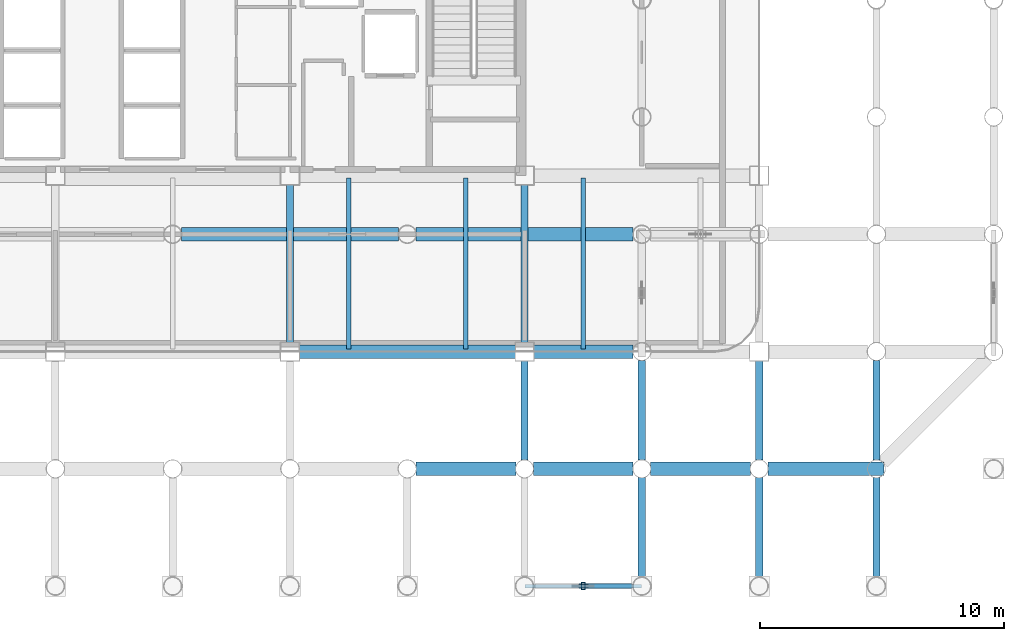
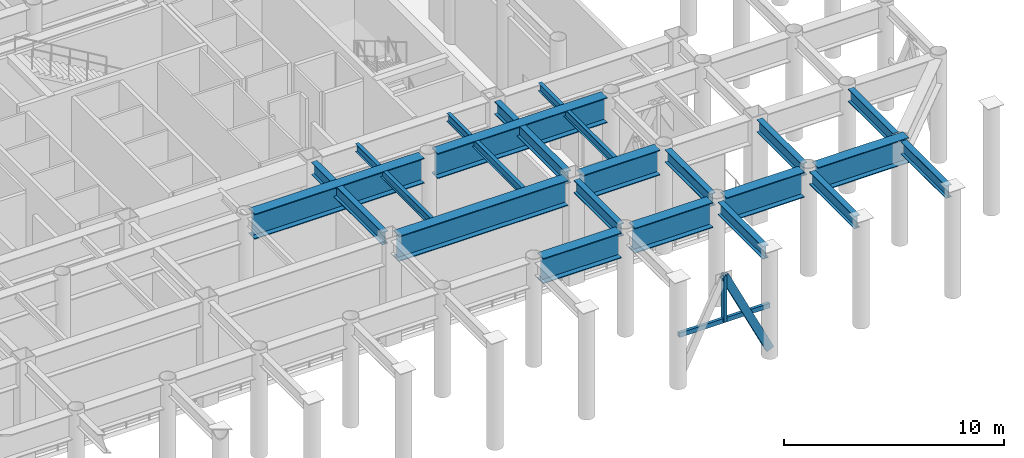
# One storey, part 5 of 19: 20 beams, 3 members.
"""IFC4 building model written with IfcOpenShell, lengths in metres."""

from ifc_helpers import new_model, si_unit, direction, frame, origin, origin_2d, place, context, subcontext, project, spatial, hollow_rectangle, i_section, extrude, material, material_profile, profile_set, type_object, element, save


model = new_model("IFC4")

# Units and contexts
model_context = context("Model", 3, precision=1e-05, world=origin(), true_north=direction((0.0, 1.0)))
body_context = subcontext(model_context, "Body", "Model", "MODEL_VIEW")
ifc_project = project(units=[si_unit("LENGTHUNIT", "METRE"), si_unit("AREAUNIT", "SQUARE_METRE"), si_unit("VOLUMEUNIT", "CUBIC_METRE"), si_unit("PLANEANGLEUNIT", "RADIAN"), si_unit("MASSUNIT", "GRAM", prefix="KILO")], contexts=[model_context])

# Site, building, storey
site_placement = place(None, origin())
site = spatial("IfcSite", under=ifc_project, at=site_placement, CompositionType="ELEMENT")
building_placement = place(site_placement, origin())
building = spatial("IfcBuilding", under=site, at=building_placement, Name="Kallvorn Hotel Tower", CompositionType="ELEMENT")
storey_placement = place(building_placement, frame((0.0, 0.0, 89.199951171875)))
storey = spatial("IfcBuildingStorey", under=building, at=storey_placement, Name="L21", CompositionType="ELEMENT", Elevation=89.199951171875)

# Beams
ifc_material_1 = material(Name="Structural steel S355JR", Category="steel")
ifc_material_profile_1 = material_profile(ifc_material_1, i_section(OverallWidth=0.300048828125, OverallDepth=0.699951171875, WebThickness=0.01708984375, FlangeThickness=0.031982421875, at=origin_2d()), Name="HE 700 B")
ifc_profile_set_1 = profile_set([ifc_material_profile_1], Name="Structural steel S355JR")
beam_type_1 = type_object("IfcBeamType", Name="BM_HE700B", PredefinedType="BEAM", material=ifc_profile_set_1)
beam_1_placement = place(storey_placement, frame((4.800048828125, -14.02490234375, 5.469970703125), z_axis=(0.0, 1.0, 0.0), x_axis=(-1.0, 0.0, 0.0)))
element("IfcBeam", 1, at=beam_1_placement, inside=storey, type_object=beam_type_1, Name="L22 Primary Y-Girder 128", PredefinedType="BEAM", context=body_context, shape_type="SweptSolid", body=[
    extrude(i_section(OverallWidth=0.300048828125, OverallDepth=0.699951171875, WebThickness=0.01708984375, FlangeThickness=0.031982421875, at=origin_2d()), origin(), (0.0, 0.0, 1.0), 6.449951171875),
])
beam_2_placement = place(storey_placement, frame((14.39990234375, -18.843994140625, 5.469970703125), z_axis=(0.0, 1.0, 0.0), x_axis=(-1.0, 0.0, 0.0)))
element("IfcBeam", 2, at=beam_2_placement, inside=storey, type_object=beam_type_1, Name="L22 Primary Y-Girder 135", PredefinedType="BEAM", context=body_context, shape_type="SweptSolid", body=[
    extrude(i_section(OverallWidth=0.300048828125, OverallDepth=0.699951171875, WebThickness=0.01708984375, FlangeThickness=0.031982421875, at=origin_2d()), origin(), (0.0, 0.0, 1.0), 4.069091796875),
])
beam_3_placement = place(storey_placement, frame((14.39990234375, -14.02490234375, 5.469970703125), z_axis=(0.0, 1.0, 0.0), x_axis=(-1.0, 0.0, 0.0)))
element("IfcBeam", 3, at=beam_3_placement, inside=storey, type_object=beam_type_1, Name="L22 Primary Y-Girder 136", PredefinedType="BEAM", context=body_context, shape_type="SweptSolid", body=[
    extrude(i_section(OverallWidth=0.300048828125, OverallDepth=0.699951171875, WebThickness=0.01708984375, FlangeThickness=0.031982421875, at=origin_2d()), origin(), (0.0, 0.0, 1.0), 6.449951171875),
])
beam_4_placement = place(storey_placement, frame((19.199951171875, -23.64404296875, 5.469970703125), z_axis=(0.0, 1.0, 0.0), x_axis=(-1.0, 0.0, 0.0)))
element("IfcBeam", 4, at=beam_4_placement, inside=storey, type_object=beam_type_1, Name="L22 Primary Y-Girder 139", PredefinedType="BEAM", context=body_context, shape_type="SweptSolid", body=[
    extrude(i_section(OverallWidth=0.300048828125, OverallDepth=0.699951171875, WebThickness=0.01708984375, FlangeThickness=0.031982421875, at=origin_2d()), origin(), (0.0, 0.0, 1.0), 4.088134765625),
])
beam_5_placement = place(storey_placement, frame((19.199951171875, -18.843994140625, 5.469970703125), z_axis=(0.0, 1.0, 0.0), x_axis=(-1.0, 0.0, 0.0)))
element("IfcBeam", 5, at=beam_5_placement, inside=storey, type_object=beam_type_1, Name="L22 Primary Y-Girder 140", PredefinedType="BEAM", context=body_context, shape_type="SweptSolid", body=[
    extrude(i_section(OverallWidth=0.300048828125, OverallDepth=0.699951171875, WebThickness=0.01708984375, FlangeThickness=0.031982421875, at=origin_2d()), origin(), (0.0, 0.0, 1.0), 4.087890625),
])
beam_6_placement = place(storey_placement, frame((24.0, -23.64404296875, 5.469970703125), z_axis=(0.0, 1.0, 0.0), x_axis=(-1.0, 0.0, 0.0)))
element("IfcBeam", 6, at=beam_6_placement, inside=storey, type_object=beam_type_1, Name="L22 Primary Y-Girder 148", PredefinedType="BEAM", context=body_context, shape_type="SweptSolid", body=[
    extrude(i_section(OverallWidth=0.300048828125, OverallDepth=0.699951171875, WebThickness=0.01708984375, FlangeThickness=0.031982421875, at=origin_2d()), origin(), (0.0, 0.0, 1.0), 4.088134765625),
])
beam_7_placement = place(storey_placement, frame((24.0, -18.843994140625, 5.469970703125), z_axis=(0.0, 1.0, 0.0), x_axis=(-1.0, 0.0, 0.0)))
element("IfcBeam", 7, at=beam_7_placement, inside=storey, type_object=beam_type_1, Name="L22 Primary Y-Girder 149", PredefinedType="BEAM", context=body_context, shape_type="SweptSolid", body=[
    extrude(i_section(OverallWidth=0.300048828125, OverallDepth=0.699951171875, WebThickness=0.01708984375, FlangeThickness=0.031982421875, at=origin_2d()), origin(), (0.0, 0.0, 1.0), 4.069091796875),
])
beam_8_placement = place(storey_placement, frame((28.800048828125, -23.64404296875, 5.469970703125), z_axis=(0.0, 1.0, 0.0), x_axis=(-1.0, 0.0, 0.0)))
element("IfcBeam", 8, at=beam_8_placement, inside=storey, type_object=beam_type_1, Name="L22 Primary Y-Girder 155", PredefinedType="BEAM", context=body_context, shape_type="SweptSolid", body=[
    extrude(i_section(OverallWidth=0.300048828125, OverallDepth=0.699951171875, WebThickness=0.01708984375, FlangeThickness=0.031982421875, at=origin_2d()), origin(), (0.0, 0.0, 1.0), 4.088134765625),
])
beam_9_placement = place(storey_placement, frame((28.800048828125, -18.843994140625, 5.469970703125), z_axis=(0.0, 1.0, 0.0), x_axis=(-1.0, 0.0, 0.0)))
element("IfcBeam", 9, at=beam_9_placement, inside=storey, type_object=beam_type_1, Name="L22 Primary Y-Girder 156", PredefinedType="BEAM", context=body_context, shape_type="SweptSolid", body=[
    extrude(i_section(OverallWidth=0.300048828125, OverallDepth=0.699951171875, WebThickness=0.01708984375, FlangeThickness=0.031982421875, at=origin_2d()), origin(), (0.0, 0.0, 1.0), 4.087890625),
])
ifc_material_2 = material(Name="Structural steel S355JR", Category="steel")
ifc_material_profile_2 = material_profile(ifc_material_2, i_section(OverallWidth=0.18994140625, OverallDepth=0.449951171875, WebThickness=0.009521484375, FlangeThickness=0.0146484375, at=origin_2d()), Name="IPE 450")
ifc_profile_set_2 = profile_set([ifc_material_profile_2], Name="Structural steel S355JR")
beam_type_2 = type_object("IfcBeamType", Name="BM_IPE450", PredefinedType="JOIST", material=ifc_profile_set_2)
for number, where, z_axis, x_axis, name in (
    (10, (7.199951171875, -14.300048828125, 5.594970703125), (0.0, 1.0, 0.0), (-1.0, 0.0, 0.0), "L22 Secondary Composite Joist 215"),
    (11, (12.0, -14.300048828125, 5.594970703125), (0.0, 1.0, 0.0), (-1.0, 0.0, 0.0), "L22 Secondary Composite Joist 217"),
    (12, (16.800048828125, -14.300048828125, 5.594970703125), (0.0, 1.0, 0.0), (-1.0, 0.0, 0.0), "L22 Secondary Composite Joist 219"),
):
    element("IfcBeam", number, at=place(storey_placement, frame(where, z_axis=z_axis, x_axis=x_axis)), inside=storey, type_object=beam_type_2, Name=name, PredefinedType="JOIST", context=body_context, shape_type="SweptSolid", body=[
        extrude(i_section(OverallWidth=0.18994140625, OverallDepth=0.449951171875, WebThickness=0.009521484375, FlangeThickness=0.0146484375, at=origin_2d()), origin(), (0.0, 0.0, 1.0), 7.0),
    ])
ifc_material_3 = material(Name="Structural steel S355JR", Category="steel")
ifc_material_profile_3 = material_profile(ifc_material_3, i_section(OverallWidth=0.550048828125, OverallDepth=1.39990234375, WebThickness=0.02490234375, FlangeThickness=0.044921875, at=origin_2d()), Name="PG 1400x550x25x45")
ifc_profile_set_3 = profile_set([ifc_material_profile_3], Name="Structural steel S355JR")
beam_type_3 = type_object("IfcBeamType", Name="BM_PG_1400", PredefinedType="BEAM", material=ifc_profile_set_3)
for number, where, z_axis, x_axis, name in (
    (13, (9.9560546875, -19.199951171875, 5.1201171875), (1.0, 0.0, 0.0), (0.0, 1.0, 0.0), "L22 Primary X-Girder 22"),
    (14, (14.756103515625, -19.199951171875, 5.1201171875), (1.0, 0.0, 0.0), (0.0, 1.0, 0.0), "L22 Primary X-Girder 23"),
):
    element("IfcBeam", number, at=place(storey_placement, frame(where, z_axis=z_axis, x_axis=x_axis)), inside=storey, type_object=beam_type_3, Name=name, PredefinedType="BEAM", context=body_context, shape_type="SweptSolid", body=[
        extrude(i_section(OverallWidth=0.550048828125, OverallDepth=1.39990234375, WebThickness=0.02490234375, FlangeThickness=0.044921875, at=origin_2d()), origin(), (0.0, 0.0, 1.0), 4.087890625),
    ])
beam_10_placement = place(storey_placement, frame((19.555908203125, -19.199951171875, 5.1201171875), z_axis=(1.0, 0.0, 0.0), x_axis=(0.0, 1.0, 0.0)))
element("IfcBeam", 15, at=beam_10_placement, inside=storey, type_object=beam_type_3, Name="L22 Primary X-Girder 24", PredefinedType="BEAM", context=body_context, shape_type="SweptSolid", body=[
    extrude(i_section(OverallWidth=0.550048828125, OverallDepth=1.39990234375, WebThickness=0.02490234375, FlangeThickness=0.044921875, at=origin_2d()), origin(), (0.0, 0.0, 1.0), 4.088134765625),
])
beam_11_placement = place(storey_placement, frame((24.35595703125, -19.199951171875, 5.1201171875), z_axis=(1.0, 0.0, 0.0), x_axis=(0.0, 1.0, 0.0)))
element("IfcBeam", 16, at=beam_11_placement, inside=storey, type_object=beam_type_3, Name="L22 Primary X-Girder 25", PredefinedType="BEAM", context=body_context, shape_type="SweptSolid", body=[
    extrude(i_section(OverallWidth=0.550048828125, OverallDepth=1.39990234375, WebThickness=0.02490234375, FlangeThickness=0.044921875, at=origin_2d()), origin(), (0.0, 0.0, 1.0), 4.76416015625),
])
beam_12_placement = place(storey_placement, frame((5.175048828125, -14.39990234375, 5.1201171875), z_axis=(1.0, 0.0, 0.0), x_axis=(0.0, 1.0, 0.0)))
element("IfcBeam", 17, at=beam_12_placement, inside=storey, type_object=beam_type_3, Name="L22 Primary X-Girder 32", PredefinedType="BEAM", context=body_context, shape_type="SweptSolid", body=[
    extrude(i_section(OverallWidth=0.550048828125, OverallDepth=1.39990234375, WebThickness=0.02490234375, FlangeThickness=0.044921875, at=origin_2d()), origin(), (0.0, 0.0, 1.0), 8.849853515625),
])
beam_13_placement = place(storey_placement, frame((14.77490234375, -14.39990234375, 5.1201171875), z_axis=(1.0, 0.0, 0.0), x_axis=(0.0, 1.0, 0.0)))
element("IfcBeam", 18, at=beam_13_placement, inside=storey, type_object=beam_type_3, Name="L22 Primary X-Girder 33", PredefinedType="BEAM", context=body_context, shape_type="SweptSolid", body=[
    extrude(i_section(OverallWidth=0.550048828125, OverallDepth=1.39990234375, WebThickness=0.02490234375, FlangeThickness=0.044921875, at=origin_2d()), origin(), (0.0, 0.0, 1.0), 4.069091796875),
])
for number, where, z_axis, x_axis, name in (
    (19, (0.35595703125, -9.60009765625, 5.1201171875), (1.0, 0.0, 0.0), (0.0, 1.0, 0.0), "L22 Primary X-Girder 41"),
    (20, (9.9560546875, -9.60009765625, 5.1201171875), (1.0, 0.0, 0.0), (0.0, 1.0, 0.0), "L22 Primary X-Girder 42"),
):
    element("IfcBeam", number, at=place(storey_placement, frame(where, z_axis=z_axis, x_axis=x_axis)), inside=storey, type_object=beam_type_3, Name=name, PredefinedType="BEAM", context=body_context, shape_type="SweptSolid", body=[
        extrude(i_section(OverallWidth=0.550048828125, OverallDepth=1.39990234375, WebThickness=0.02490234375, FlangeThickness=0.044921875, at=origin_2d()), origin(), (0.0, 0.0, 1.0), 8.887939453125),
    ])

# Members
ifc_material_4 = material(Name="Structural steel S355J2H", Category="steel")
ifc_material_profile_4 = material_profile(ifc_material_4, hollow_rectangle(XDim=0.199951171875, YDim=0.39990234375, WallThickness=0.02001953125, at=origin_2d()), Name="RHS 400x200x20")
ifc_profile_set_4 = profile_set([ifc_material_profile_4], Name="Structural steel S355J2H")
member_type_1 = type_object("IfcMemberType", Name="MBR_BELT_RHS400", PredefinedType="BRACE", material=ifc_profile_set_4)
member_1_placement = place(storey_placement, frame((19.191162109375, -24.0, 0.3681640625), z_axis=(-0.439148786384, 0.0, 0.898414349517), x_axis=(0.0, -1.0, 0.0)))
element("IfcMember", 21, at=member_1_placement, inside=storey, type_object=member_type_1, Name="L21 Belt Truss Diagonal 2B", PredefinedType="BRACE", context=body_context, shape_type="SweptSolid", body=[
    extrude(hollow_rectangle(XDim=0.199951171875, YDim=0.39990234375, WallThickness=0.02001953125, at=origin_2d()), origin(), (0.0, 0.0, 1.0), 5.4248046875),
])
ifc_material_5 = material(Name="Structural steel S355J2H", Category="steel")
ifc_material_profile_5 = material_profile(ifc_material_5, hollow_rectangle(XDim=0.14990234375, YDim=0.25, WallThickness=0.010009765625, at=origin_2d()), Name="RHS 250x150x10")
ifc_profile_set_5 = profile_set([ifc_material_profile_5], Name="Structural steel S355J2H")
member_type_2 = type_object("IfcMemberType", Name="MBR_COLLAR_RHS250", PredefinedType="COLLAR", material=ifc_profile_set_5)
member_2_placement = place(storey_placement, frame((14.419921875, -24.0, 2.78515625), z_axis=(1.0, 0.0, 0.0), x_axis=(0.0, 1.0, 0.0)))
element("IfcMember", 22, at=member_2_placement, inside=storey, type_object=member_type_2, Name="L21 Belt Truss Tie Collar 2", PredefinedType="COLLAR", context=body_context, shape_type="SweptSolid", body=[
    extrude(hollow_rectangle(XDim=0.14990234375, YDim=0.25, WallThickness=0.010009765625, at=origin_2d()), origin(), (0.0, 0.0, 1.0), 4.760009765625),
])
ifc_material_6 = material(Name="Structural steel S355J2H", Category="steel")
ifc_material_profile_6 = material_profile(ifc_material_6, hollow_rectangle(XDim=0.14990234375, YDim=0.300048828125, WallThickness=0.012451171875, at=origin_2d()), Name="RHS 300x150x12.5")
ifc_profile_set_6 = profile_set([ifc_material_profile_6], Name="Structural steel S355J2H")
member_type_3 = type_object("IfcMemberType", Name="MBR_STRUT_RHS300", PredefinedType="STRUT", material=ifc_profile_set_6)
member_3_placement = place(storey_placement, frame((16.800048828125, -24.0, 2.735107421875), z_axis=(0.0, 0.0, 1.0), x_axis=(1.0, 0.0, 0.0)))
element("IfcMember", 23, at=member_3_placement, inside=storey, type_object=member_type_3, Name="L21 Belt Truss Strut 2", PredefinedType="STRUT", context=body_context, shape_type="SweptSolid", body=[
    extrude(hollow_rectangle(XDim=0.14990234375, YDim=0.300048828125, WallThickness=0.012451171875, at=origin_2d()), origin(), (0.0, 0.0, 1.0), 2.56494140625),
])

save(model, "model.ifc")
